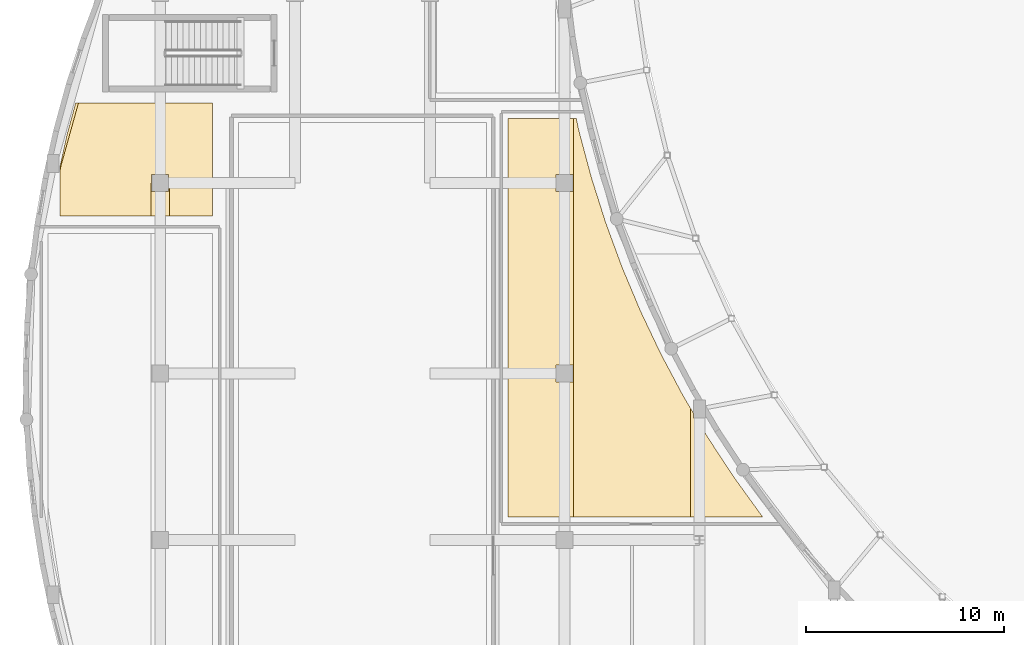
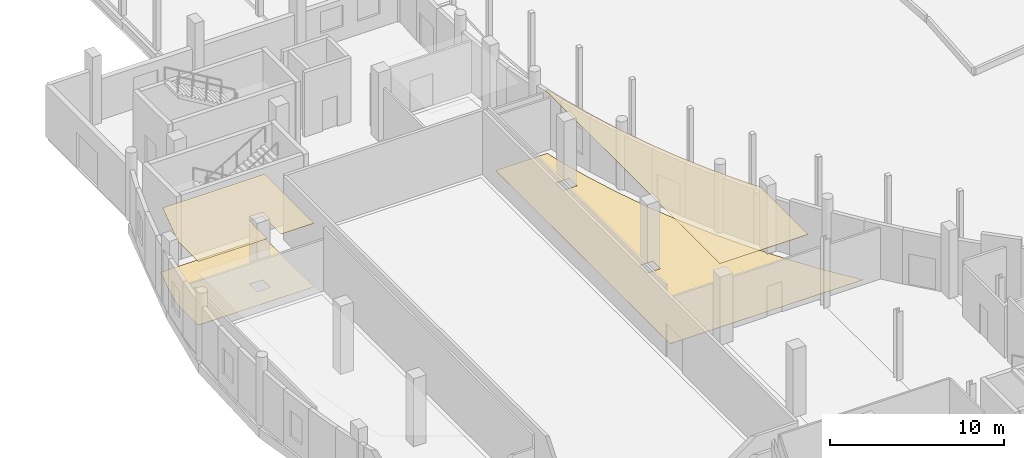
# One storey, part 82 of 97: 4 coverings.
"""IFC4 building model written with IfcOpenShell, lengths in metres."""

from ifc_helpers import new_model, si_unit, direction, frame, origin, place, context, subcontext, project, spatial, polyline, outline, extrude, material, layer, layer_set, type_object, element, save


model = new_model("IFC4")

# Units and contexts
model_context = context("Model", 3, precision=1e-05, world=origin(), true_north=direction((0.0, 1.0)))
body_context = subcontext(model_context, "Body", "Model", "MODEL_VIEW")
ifc_project = project(units=[si_unit("LENGTHUNIT", "METRE"), si_unit("AREAUNIT", "SQUARE_METRE"), si_unit("VOLUMEUNIT", "CUBIC_METRE"), si_unit("PLANEANGLEUNIT", "RADIAN"), si_unit("MASSUNIT", "GRAM", prefix="KILO")], contexts=[model_context])

# Site, building, storey
site_placement = place(None, origin())
site = spatial("IfcSite", under=ifc_project, at=site_placement, CompositionType="ELEMENT")
building_placement = place(site_placement, origin())
building = spatial("IfcBuilding", under=site, at=building_placement, Name="Kisaragi Civic Commons", CompositionType="ELEMENT")
storey_placement = place(building_placement, origin())
storey = spatial("IfcBuildingStorey", under=building, at=storey_placement, Name="L00", CompositionType="ELEMENT", Elevation=0.0)

# Coverings
ifc_material_1 = material(Name="Perforated mineral-fibre & hinoki slat acoustic ceiling")
ifc_layer_1 = layer(ifc_material_1, 0.02490234375, Name="Perforated mineral-fibre & hinoki slat acoustic ceiling")
ifc_layer_set_1 = layer_set([ifc_layer_1], Name="Perforated mineral-fibre & hinoki slat acoustic ceiling")
covering_type_1 = type_object("IfcCoveringType", Name="CLG-02", PredefinedType="CEILING", material=ifc_layer_set_1)
covering_1_placement = place(storey_placement, frame((0.0, 0.0, 4.469970703125)))
element("IfcCovering", 1, at=covering_1_placement, inside=storey, type_object=covering_type_1, Name="Civic Exhibition Gallery acoustic ceiling", PredefinedType="CEILING", context=body_context, shape_type="SweptSolid", body=[
    extrude(outline(polyline([(27.92822265625, 45.8115234375), (27.788330078125, 46.449951171875), (27.659912109375, 46.449951171875), (27.659912109375, 43.199951171875), (27.659912109375, 33.60009765625), (27.659912109375, 26.35009765625), (33.5400390625, 26.35009765625), (33.5400390625, 31.811279296875), (33.570068359375, 31.811279296875), (33.1845703125, 32.462646484375), (33.17529296875, 32.47900390625), (32.05908203125, 34.576904296875), (32.050537109375, 34.593994140625), (31.031005859375, 36.740478515625), (31.023193359375, 36.757568359375), (30.102294921875, 38.9482421875), (30.095458984375, 38.9658203125), (29.275390625, 41.1962890625), (29.269287109375, 41.214111328125), (28.5517578125, 43.4794921875), (28.54638671875, 43.49755859375), (27.9326171875, 45.793212890625), (27.92822265625, 45.8115234375)])), origin(), (0.0, 0.0, 1.0), 0.025146484375),
])
covering_2_placement = place(storey_placement, frame((0.0, 0.0, 4.469970703125)))
element("IfcCovering", 2, at=covering_2_placement, inside=storey, type_object=covering_type_1, Name="Backstage Green Room acoustic ceiling", PredefinedType="CEILING", context=body_context, shape_type="SweptSolid", body=[
    extrude(outline(polyline([(1.75, 43.852294921875), (1.75, 41.550048828125), (6.340087890625, 41.550048828125), (6.340087890625, 43.199951171875), (6.3701171875, 43.199951171875), (6.3701171875, 43.6298828125), (7.22998046875, 43.6298828125), (7.22998046875, 43.199951171875), (7.260009765625, 43.199951171875), (7.260009765625, 41.550048828125), (9.449951171875, 41.550048828125), (9.449951171875, 47.25), (2.67822265625, 47.25), (1.799072265625, 44.09716796875), (1.75, 43.852294921875)])), origin(), (0.0, 0.0, 1.0), 0.025146484375),
])
ifc_material_2 = material(Name="Honed Mino ceramic tile & resilience acoustic flooring")
ifc_layer_2 = layer(ifc_material_2, 0.01611328125, Name="Honed Mino ceramic tile & resilience acoustic flooring")
ifc_layer_set_2 = layer_set([ifc_layer_2], Name="Honed Mino ceramic tile & resilience acoustic flooring")
covering_type_2 = type_object("IfcCoveringType", Name="FLR-02", PredefinedType="FLOORING", material=ifc_layer_set_2)
covering_3_placement = place(storey_placement, origin())
element("IfcCovering", 3, at=covering_3_placement, inside=storey, type_object=covering_type_2, Name="Civic Exhibition Gallery floor finish", PredefinedType="FLOORING", context=body_context, shape_type="SweptSolid", body=[
    extrude(outline(polyline([(27.788330078125, 46.449951171875), (24.35009765625, 46.449951171875), (24.35009765625, 26.35009765625), (37.206298828125, 26.35009765625), (37.12109375, 26.457275390625), (37.10986328125, 26.472412109375), (35.71826171875, 28.398681640625), (35.70751953125, 28.414306640625), (34.405029296875, 30.40185546875), (34.39501953125, 30.417724609375), (33.83935546875, 31.3564453125), (33.695068359375, 31.3564453125), (33.695068359375, 31.600341796875), (33.1845703125, 32.462646484375), (33.17529296875, 32.47900390625), (32.05908203125, 34.576904296875), (32.050537109375, 34.593994140625), (31.031005859375, 36.740478515625), (31.023193359375, 36.757568359375), (30.102294921875, 38.9482421875), (30.095458984375, 38.9658203125), (29.275390625, 41.1962890625), (29.269287109375, 41.214111328125), (28.5517578125, 43.4794921875), (28.54638671875, 43.49755859375), (27.9326171875, 45.793212890625), (27.92822265625, 45.8115234375), (27.788330078125, 46.449951171875)]), holes=[polyline([(27.6298828125, 33.169921875), (26.77001953125, 33.169921875), (26.77001953125, 34.030029296875), (27.6298828125, 34.030029296875), (27.6298828125, 33.169921875)]), polyline([(27.6298828125, 42.77001953125), (26.77001953125, 42.77001953125), (26.77001953125, 43.6298828125), (27.6298828125, 43.6298828125), (27.6298828125, 42.77001953125)])]), origin(), (0.0, 0.0, 1.0), 0.01611328125),
])
covering_4_placement = place(storey_placement, origin())
element("IfcCovering", 4, at=covering_4_placement, inside=storey, type_object=covering_type_2, Name="Backstage Green Room floor finish", PredefinedType="FLOORING", context=body_context, shape_type="SweptSolid", body=[
    extrude(outline(polyline([(1.75, 41.550048828125), (9.449951171875, 41.550048828125), (9.449951171875, 47.25), (2.539306640625, 47.25), (2.11181640625, 45.6845703125), (1.75, 44.06201171875), (1.75, 41.550048828125)]), holes=[polyline([(7.22998046875, 42.77001953125), (6.3701171875, 42.77001953125), (6.3701171875, 43.6298828125), (7.22998046875, 43.6298828125), (7.22998046875, 42.77001953125)])]), origin(), (0.0, 0.0, 1.0), 0.01611328125),
])

save(model, "model.ifc")
